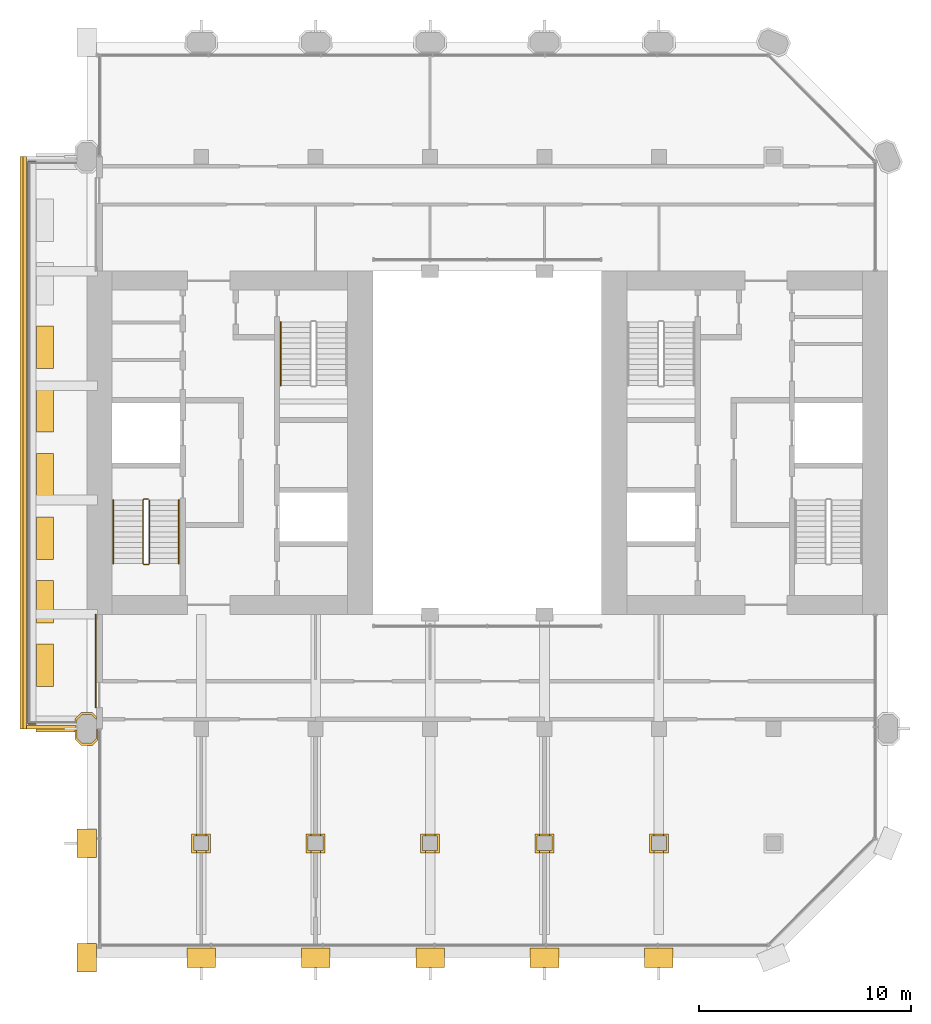
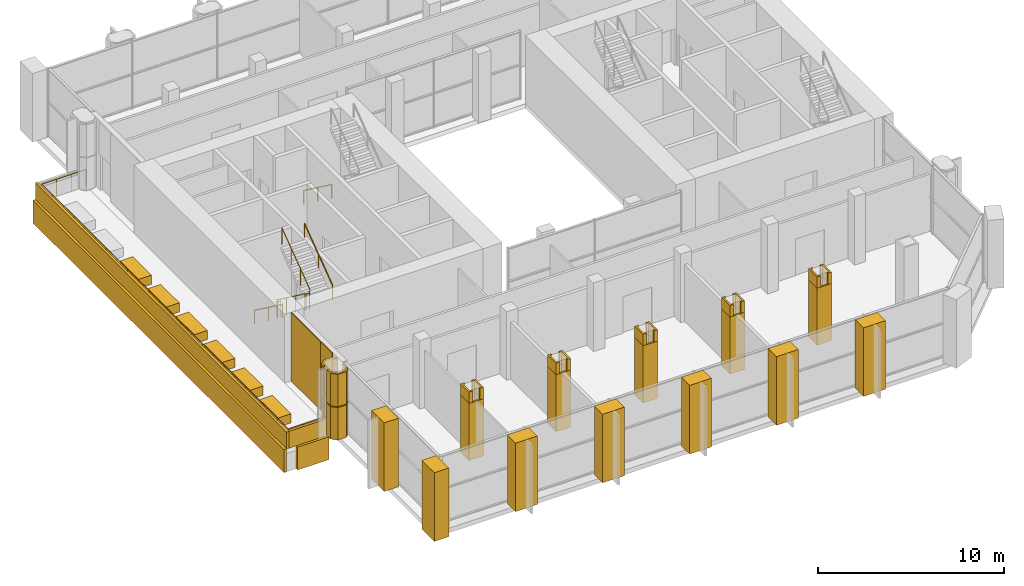
# One storey, part 12 of 14: 38 coverings, 5 railings.
"""IFC4 building model written with IfcOpenShell, lengths in metres."""

import ifcopenshell
import ifcopenshell.guid

model = None  # the IFC model being written
_history = None  # IfcOwnerHistory: only IFC2X3 demands one
_inside = {}  # id of a spatial element -> (the spatial element, [elements in it])
_under = {}  # id of a project, library or spatial element -> (it, [spatial elements below it])
_declared = {}  # id of a project -> (the project, [libraries it declares])
_typed = {}  # id of a type object -> (the type object, [elements of that type])
_made_of = {}  # id of a material, layer set ... -> (it, [elements and type objects made of it])


def new_model(schema):
    """Start an empty IFC model of exactly this schema.

    Asked for "IFC4X3", IfcOpenShell would pick the latest addendum, in which some entities
    have other attributes; the version numbers below select the first issue.
    IFC2X3 requires an IfcOwnerHistory on every rooted entity: one is made here for all.
    """
    global model, _history
    if schema == "IFC4X3":
        model = ifcopenshell.file(schema_version=(4, 3, 0, 0))
    else:
        model = ifcopenshell.file(schema=schema)
    _inside.clear()
    _under.clear()
    _declared.clear()
    _typed.clear()
    _made_of.clear()
    _history = None
    if model.schema == "IFC2X3":
        org = make("IfcOrganization", Name="unknown")
        user = make(
            "IfcPersonAndOrganization",
            ThePerson=make("IfcPerson", FamilyName="unknown"),
            TheOrganization=org,
        )
        app = make(
            "IfcApplication",
            ApplicationDeveloper=org,
            Version="unknown",
            ApplicationFullName="unknown",
            ApplicationIdentifier="unknown",
        )
        _history = make(
            "IfcOwnerHistory",
            OwningUser=user,
            OwningApplication=app,
            ChangeAction="ADDED",
            CreationDate=0,
        )
    return model


def make(cls, **values):
    """One entity of the class cls with the attributes given. An attribute that is None is left unset."""
    return model.create_entity(
        cls, **{name: value for name, value in values.items() if value is not None}
    )


def rooted(cls, **values):
    """An entity with a GlobalId (a new one), such as an element, a storey or a relation."""
    return make(cls, GlobalId=ifcopenshell.guid.new(), OwnerHistory=_history, **values)


def si_unit(unit_type, name, prefix=None):
    """IfcSIUnit, for example si_unit("LENGTHUNIT", "METRE", prefix="MILLI")."""
    return make("IfcSIUnit", UnitType=unit_type, Prefix=prefix, Name=name)


def assignment(units):
    """IfcUnitAssignment: the units of a project."""
    return None if units is None else make("IfcUnitAssignment", Units=units)


def point(xyz):
    """IfcCartesianPoint."""
    return None if xyz is None else make("IfcCartesianPoint", Coordinates=xyz)


def direction(xyz):
    """IfcDirection."""
    return None if xyz is None else make("IfcDirection", DirectionRatios=xyz)


def frame(location, z_axis=None, x_axis=None):
    """IfcAxis2Placement3D, a coordinate frame: its origin and axes. An axis left out is left unset."""
    return make(
        "IfcAxis2Placement3D",
        Location=point(location),
        Axis=direction(z_axis),
        RefDirection=direction(x_axis),
    )


def frame_2d(location, x_axis=None):
    """IfcAxis2Placement2D, a coordinate frame in the plane: its origin and x axis."""
    return make(
        "IfcAxis2Placement2D", Location=point(location), RefDirection=direction(x_axis)
    )


def origin():
    """The frame at (0, 0, 0) with its axes left unset."""
    return frame((0.0, 0.0, 0.0))


def origin_2d():
    """The frame at (0, 0) in the plane with its x axis left unset."""
    return frame_2d((0.0, 0.0))


def place(relative_to, where):
    """IfcLocalPlacement: puts the frame where relative to a parent placement (None: the world)."""
    return make(
        "IfcLocalPlacement", PlacementRelTo=relative_to, RelativePlacement=where
    )


def context(
    kind, dimensions, precision=None, world=None, true_north=None, identifier=None
):
    """IfcGeometricRepresentationContext, for example the 3D "Model" context."""
    return make(
        "IfcGeometricRepresentationContext",
        ContextIdentifier=identifier,
        ContextType=kind,
        CoordinateSpaceDimension=dimensions,
        Precision=precision,
        WorldCoordinateSystem=world,
        TrueNorth=true_north,
    )


def subcontext(parent, identifier, kind, view, scale=None):
    """IfcGeometricRepresentationSubContext, for example "Body" below "Model"."""
    return make(
        "IfcGeometricRepresentationSubContext",
        ContextIdentifier=identifier,
        ContextType=kind,
        ParentContext=parent,
        TargetScale=scale,
        TargetView=view,
    )


def project(units=None, contexts=None):
    """IfcProject with its units and contexts."""
    return rooted(
        "IfcProject",
        Name="project",
        RepresentationContexts=contexts,
        UnitsInContext=assignment(units),
    )


def spatial(cls, under=None, at=None, **own):
    """A site, building, storey or space (cls), placed at a placement, below another one or the project."""
    s = rooted(cls, ObjectPlacement=at, **own)
    if under is not None:
        _under.setdefault(under.id(), (under, []))[1].append(s)
    return s


def polyline(points):
    """IfcPolyline through the points."""
    return make("IfcPolyline", Points=[point(p) for p in points])


def profile(cls, at=None, kind="AREA", **sizes):
    """A parametric profile (cls). Its sizes go by their IFC names, for example OverallWidth=200.0."""
    return make(cls, ProfileType=kind, Position=at, **sizes)


def rectangle(**sizes):
    """IfcRectangleProfileDef."""
    return profile("IfcRectangleProfileDef", **sizes)


def circle(**sizes):
    """IfcCircleProfileDef."""
    return profile("IfcCircleProfileDef", **sizes)


def outline(outer, holes=None, kind="AREA"):
    """IfcArbitraryClosedProfileDef: a profile drawn as a closed curve; with holes, ...WithVoids."""
    if holes is None:
        return make("IfcArbitraryClosedProfileDef", ProfileType=kind, OuterCurve=outer)
    return make(
        "IfcArbitraryProfileDefWithVoids",
        ProfileType=kind,
        OuterCurve=outer,
        InnerCurves=holes,
    )


def extrude(swept, where, along, depth):
    """IfcExtrudedAreaSolid: the profile swept, set in the frame where, extruded along a direction by depth."""
    return make(
        "IfcExtrudedAreaSolid",
        SweptArea=swept,
        Position=where,
        ExtrudedDirection=direction(along),
        Depth=depth,
    )


def shape(context_of_items, identifier, shape_type, items):
    """IfcShapeRepresentation: the items that make up one representation, for example the "Body"."""
    return make(
        "IfcShapeRepresentation",
        ContextOfItems=context_of_items,
        RepresentationIdentifier=identifier,
        RepresentationType=shape_type,
        Items=items,
    )


def material(Name=None, Category=None):
    """IfcMaterial."""
    return make("IfcMaterial", Name=Name, Category=Category)


def layer(
    of_material, thickness, ventilated=None, Name=None, Category=None, Priority=None
):
    """IfcMaterialLayer: one layer of a wall or slab, of a material (None: an air gap)."""
    return make(
        "IfcMaterialLayer",
        Material=of_material,
        LayerThickness=thickness,
        IsVentilated=ventilated,
        Name=Name,
        Category=Category,
        Priority=Priority,
    )


def layer_set(layers, Name=None):
    """IfcMaterialLayerSet."""
    return make("IfcMaterialLayerSet", MaterialLayers=layers, LayerSetName=Name)


def made_of(thing, what):
    """Note that an element or type object is made of a material, layer set ...; save() writes the relation."""
    if what is not None:
        _made_of.setdefault(what.id(), (what, []))[1].append(thing)
    return thing


def type_object(cls, material=None, **own):
    """A type object (cls), such as IfcWallType, which elements share."""
    return made_of(rooted(cls, **own), material)


def element(
    cls,
    number,
    at=None,
    inside=None,
    cuts=None,
    type_object=None,
    material=None,
    context=None,
    identifier="Body",
    shape_type=None,
    held_by="IfcProductDefinitionShape",
    body=None,
    shapes=None,
    **own,
):
    """One element of the class cls, such as IfcWall. Its Tag is "e" and its number.

    at: its placement. inside: the storey or other place that contains it. cuts: it is an
    opening in that element (IfcRelVoidsElement). A single representation is given by context,
    identifier, shape_type and body (its items); several are given by shapes. held_by: the class
    of the entity that holds the representations. save() writes the other relations.
    """
    e = rooted(cls, Tag="e%d" % number, ObjectPlacement=at, **own)
    if body is not None:
        shapes = [shape(context, identifier, shape_type, body)]
    if shapes is not None:
        e.Representation = make(held_by, Representations=shapes)
    if inside is not None:
        _inside.setdefault(inside.id(), (inside, []))[1].append(e)
    if cuts is not None:
        rooted(
            "IfcRelVoidsElement", RelatingBuildingElement=cuts, RelatedOpeningElement=e
        )
    if type_object is not None:
        _typed.setdefault(type_object.id(), (type_object, []))[1].append(e)
    return made_of(e, material)


def aggregate(whole, parts):
    """IfcRelAggregates: a whole, such as a stair, and the parts it consists of."""
    return rooted("IfcRelAggregates", RelatingObject=whole, RelatedObjects=parts)


def save(model, path):
    """Write the relations noted so far, then the file.

    IfcRelAggregates (storeys below a building ...), IfcRelContainedInSpatialStructure (elements
    in a storey), IfcRelDefinesByType, IfcRelAssociatesMaterial and IfcRelDeclares: one each for
    every whole, place, type object, material and project.
    """
    for whole, parts in _under.values():
        aggregate(whole, parts)
    for where, things in _inside.values():
        rooted(
            "IfcRelContainedInSpatialStructure",
            RelatedElements=things,
            RelatingStructure=where,
        )
    for kind, things in _typed.values():
        rooted("IfcRelDefinesByType", RelatedObjects=things, RelatingType=kind)
    for what, things in _made_of.values():
        rooted("IfcRelAssociatesMaterial", RelatedObjects=things, RelatingMaterial=what)
    for by, libraries in _declared.values():
        rooted("IfcRelDeclares", RelatingContext=by, RelatedDefinitions=libraries)
    model.write(path)


model = new_model("IFC4")

# Units and contexts
model_context = context("Model", 3, precision=1e-05, world=origin(), true_north=direction((0.0, 1.0)))
body_context = subcontext(model_context, "Body", "Model", "MODEL_VIEW")
ifc_project = project(units=[si_unit("LENGTHUNIT", "METRE"), si_unit("AREAUNIT", "SQUARE_METRE"), si_unit("VOLUMEUNIT", "CUBIC_METRE"), si_unit("PLANEANGLEUNIT", "RADIAN"), si_unit("MASSUNIT", "GRAM", prefix="KILO")], contexts=[model_context])

# Site, building, storey
site_placement = place(None, origin())
site = spatial("IfcSite", under=ifc_project, at=site_placement, CompositionType="ELEMENT")
building_placement = place(site_placement, origin())
building = spatial("IfcBuilding", under=site, at=building_placement, Name="Tabaq Tower and Sports Hall", CompositionType="ELEMENT")
storey_placement = place(building_placement, frame((0.0, 0.0, 250.89990234375)))
storey = spatial("IfcBuildingStorey", under=building, at=storey_placement, Name="L61", CompositionType="ELEMENT", Elevation=250.89990234375)

# Coverings
ifc_material_1 = material(Name="Precast concrete C60/75", Category="concrete")
ifc_layer_1 = layer(ifc_material_1, 0.10009765625)
ifc_layer_set_1 = layer_set([ifc_layer_1], Name="Column cladding 100")
covering_type_1 = type_object("IfcCoveringType", Name="Column cladding 100", PredefinedType="CLADDING", material=ifc_layer_set_1)
covering_1_placement = place(storey_placement, frame((0.0, 0.0, 0.10009765625)))
element("IfcCovering", 1, at=covering_1_placement, inside=storey, type_object=covering_type_1, Name="Column cladding L61 PC-2C-S2", PredefinedType="CLADDING", context=body_context, shape_type="SweptSolid", body=[
    extrude(outline(polyline([(5.1337890625, 10.025390625), (4.850341796875, 10.30859375), (4.850341796875, 10.73974609375), (4.94970703125, 10.73974609375), (4.94970703125, 10.349853515625), (5.1748046875, 10.124755859375), (5.625244140625, 10.124755859375), (5.850341796875, 10.349853515625), (5.850341796875, 10.7998046875), (5.90966796875, 10.7998046875), (5.90966796875, 10.268798828125), (5.666259765625, 10.025390625), (5.1337890625, 10.025390625)])), origin(), (0.0, 0.0, 1.0), 2.1201171875),
])
covering_2_placement = place(storey_placement, frame((0.0, 0.0, 0.10009765625)))
element("IfcCovering", 2, at=covering_2_placement, inside=storey, type_object=covering_type_1, Name="Column cladding L61 PC-2C-S2 2", PredefinedType="CLADDING", context=body_context, shape_type="SweptSolid", body=[
    extrude(outline(polyline([(4.850341796875, 11.291259765625), (5.1337890625, 11.57470703125), (5.666259765625, 11.57470703125), (5.849609375, 11.391357421875), (5.849609375, 11.250732421875), (5.625244140625, 11.475341796875), (5.1748046875, 11.475341796875), (4.94970703125, 11.250244140625), (4.94970703125, 11.09033203125), (4.900390625, 11.09033203125), (4.900390625, 11.1103515625), (4.850341796875, 11.1103515625), (4.850341796875, 11.291259765625)])), origin(), (0.0, 0.0, 1.0), 2.1201171875),
])
covering_3_placement = place(storey_placement, frame((0.0, 0.0, 2.280029296875)))
element("IfcCovering", 3, at=covering_3_placement, inside=storey, type_object=covering_type_1, Name="Column cladding L61 PC-2C-S2 2", PredefinedType="CLADDING", context=body_context, shape_type="SweptSolid", body=[
    extrude(outline(polyline([(5.1337890625, 10.025390625), (4.850341796875, 10.30859375), (4.850341796875, 10.73974609375), (4.94970703125, 10.73974609375), (4.94970703125, 10.349853515625), (5.1748046875, 10.124755859375), (5.625244140625, 10.124755859375), (5.850341796875, 10.349853515625), (5.850341796875, 10.7998046875), (5.90966796875, 10.7998046875), (5.90966796875, 10.268798828125), (5.666259765625, 10.025390625), (5.1337890625, 10.025390625)])), origin(), (0.0, 0.0, 1.0), 2.1201171875),
])
covering_4_placement = place(storey_placement, frame((0.0, 0.0, 2.280029296875)))
element("IfcCovering", 4, at=covering_4_placement, inside=storey, type_object=covering_type_1, Name="Column cladding L61 PC-2C-S2 2 2", PredefinedType="CLADDING", context=body_context, shape_type="SweptSolid", body=[
    extrude(outline(polyline([(4.850341796875, 11.291259765625), (5.1337890625, 11.57470703125), (5.666259765625, 11.57470703125), (5.849609375, 11.391357421875), (5.849609375, 11.250732421875), (5.625244140625, 11.475341796875), (5.1748046875, 11.475341796875), (4.94970703125, 11.250244140625), (4.94970703125, 11.09033203125), (4.900390625, 11.09033203125), (4.900390625, 11.1103515625), (4.850341796875, 11.1103515625), (4.850341796875, 11.291259765625)])), origin(), (0.0, 0.0, 1.0), 2.1201171875),
])
covering_5_placement = place(storey_placement, origin())
element("IfcCovering", 5, at=covering_5_placement, inside=storey, type_object=covering_type_1, Name="Column cladding L61 CC-3B-S2", PredefinedType="CLADDING", context=body_context, shape_type="SweptSolid", body=[
    extrude(outline(polyline([(10.350341796875, 5.849609375), (11.249755859375, 5.849609375), (11.249755859375, 4.9501953125), (10.350341796875, 4.9501953125), (10.350341796875, 5.849609375)]), holes=[polyline([(11.150390625, 5.0498046875), (11.150390625, 5.750244140625), (10.44970703125, 5.750244140625), (10.44970703125, 5.0498046875), (11.150390625, 5.0498046875)])]), origin(), (0.0, 0.0, 1.0), 3.75),
])
covering_6_placement = place(storey_placement, frame((0.0, 0.0, 3.75)))
element("IfcCovering", 6, at=covering_6_placement, inside=storey, type_object=covering_type_1, Name="Column cladding L61 CC-3B-S2 head", PredefinedType="CLADDING", context=body_context, shape_type="SweptSolid", body=[
    extrude(outline(polyline([(10.574462890625, 5.04931640625), (10.574462890625, 4.95068359375), (10.3505859375, 4.95068359375), (10.3505859375, 5.849365234375), (10.574462890625, 5.849365234375), (10.574462890625, 5.75048828125), (10.449462890625, 5.75048828125), (10.449462890625, 5.04931640625), (10.574462890625, 5.04931640625)])), origin(), (0.0, 0.0, 1.0), 0.75),
])
covering_7_placement = place(storey_placement, frame((0.0, 0.0, 3.75)))
element("IfcCovering", 7, at=covering_7_placement, inside=storey, type_object=covering_type_1, Name="Column cladding L61 CC-3B-S2 head 2", PredefinedType="CLADDING", context=body_context, shape_type="SweptSolid", body=[
    extrude(outline(polyline([(11.025634765625, 5.04931640625), (11.150634765625, 5.04931640625), (11.150634765625, 5.75048828125), (11.025634765625, 5.75048828125), (11.025634765625, 5.849365234375), (11.24951171875, 5.849365234375), (11.24951171875, 4.95068359375), (11.025634765625, 4.95068359375), (11.025634765625, 5.04931640625)])), origin(), (0.0, 0.0, 1.0), 0.75),
])
covering_8_placement = place(storey_placement, origin())
element("IfcCovering", 8, at=covering_8_placement, inside=storey, type_object=covering_type_1, Name="Column cladding L61 CC-4B-S2", PredefinedType="CLADDING", context=body_context, shape_type="SweptSolid", body=[
    extrude(outline(polyline([(15.750244140625, 5.849609375), (16.649658203125, 5.849609375), (16.649658203125, 4.9501953125), (15.750244140625, 4.9501953125), (15.750244140625, 5.849609375)]), holes=[polyline([(16.55029296875, 5.0498046875), (16.55029296875, 5.750244140625), (15.849609375, 5.750244140625), (15.849609375, 5.0498046875), (16.55029296875, 5.0498046875)])]), origin(), (0.0, 0.0, 1.0), 3.75),
])
covering_9_placement = place(storey_placement, frame((0.0, 0.0, 3.75)))
element("IfcCovering", 9, at=covering_9_placement, inside=storey, type_object=covering_type_1, Name="Column cladding L61 CC-4B-S2 head", PredefinedType="CLADDING", context=body_context, shape_type="SweptSolid", body=[
    extrude(outline(polyline([(16.425537109375, 5.04931640625), (16.550537109375, 5.04931640625), (16.550537109375, 5.75048828125), (16.425537109375, 5.75048828125), (16.425537109375, 5.849365234375), (16.6494140625, 5.849365234375), (16.6494140625, 4.95068359375), (16.425537109375, 4.95068359375), (16.425537109375, 5.04931640625)])), origin(), (0.0, 0.0, 1.0), 0.75),
])
covering_10_placement = place(storey_placement, frame((0.0, 0.0, 3.75)))
element("IfcCovering", 10, at=covering_10_placement, inside=storey, type_object=covering_type_1, Name="Column cladding L61 CC-4B-S2 head 2", PredefinedType="CLADDING", context=body_context, shape_type="SweptSolid", body=[
    extrude(outline(polyline([(15.974365234375, 5.04931640625), (15.974365234375, 4.95068359375), (15.75048828125, 4.95068359375), (15.75048828125, 5.849365234375), (15.974365234375, 5.849365234375), (15.974365234375, 5.75048828125), (15.849365234375, 5.75048828125), (15.849365234375, 5.04931640625), (15.974365234375, 5.04931640625)])), origin(), (0.0, 0.0, 1.0), 0.75),
])
covering_11_placement = place(storey_placement, origin())
element("IfcCovering", 11, at=covering_11_placement, inside=storey, type_object=covering_type_1, Name="Column cladding L61 CC-5B-S2", PredefinedType="CLADDING", context=body_context, shape_type="SweptSolid", body=[
    extrude(outline(polyline([(21.150390625, 5.849609375), (22.0498046875, 5.849609375), (22.0498046875, 4.9501953125), (21.150390625, 4.9501953125), (21.150390625, 5.849609375)]), holes=[polyline([(21.9501953125, 5.0498046875), (21.9501953125, 5.750244140625), (21.249755859375, 5.750244140625), (21.249755859375, 5.0498046875), (21.9501953125, 5.0498046875)])]), origin(), (0.0, 0.0, 1.0), 3.75),
])
covering_12_placement = place(storey_placement, frame((0.0, 0.0, 3.75)))
element("IfcCovering", 12, at=covering_12_placement, inside=storey, type_object=covering_type_1, Name="Column cladding L61 CC-5B-S2 head", PredefinedType="CLADDING", context=body_context, shape_type="SweptSolid", body=[
    extrude(outline(polyline([(21.37451171875, 5.04931640625), (21.37451171875, 4.95068359375), (21.150634765625, 4.95068359375), (21.150634765625, 5.849365234375), (21.37451171875, 5.849365234375), (21.37451171875, 5.75048828125), (21.24951171875, 5.75048828125), (21.24951171875, 5.04931640625), (21.37451171875, 5.04931640625)])), origin(), (0.0, 0.0, 1.0), 0.75),
])
covering_13_placement = place(storey_placement, frame((0.0, 0.0, 3.75)))
element("IfcCovering", 13, at=covering_13_placement, inside=storey, type_object=covering_type_1, Name="Column cladding L61 CC-5B-S2 head 2", PredefinedType="CLADDING", context=body_context, shape_type="SweptSolid", body=[
    extrude(outline(polyline([(21.82568359375, 5.04931640625), (21.95068359375, 5.04931640625), (21.95068359375, 5.75048828125), (21.82568359375, 5.75048828125), (21.82568359375, 5.849365234375), (22.04931640625, 5.849365234375), (22.04931640625, 4.95068359375), (21.82568359375, 4.95068359375), (21.82568359375, 5.04931640625)])), origin(), (0.0, 0.0, 1.0), 0.75),
])
covering_14_placement = place(storey_placement, origin())
element("IfcCovering", 14, at=covering_14_placement, inside=storey, type_object=covering_type_1, Name="Column cladding L61 CC-6B-S2", PredefinedType="CLADDING", context=body_context, shape_type="SweptSolid", body=[
    extrude(outline(polyline([(26.55029296875, 5.849609375), (27.44970703125, 5.849609375), (27.44970703125, 4.9501953125), (26.55029296875, 4.9501953125), (26.55029296875, 5.849609375)]), holes=[polyline([(27.350341796875, 5.0498046875), (27.350341796875, 5.750244140625), (26.649658203125, 5.750244140625), (26.649658203125, 5.0498046875), (27.350341796875, 5.0498046875)])]), origin(), (0.0, 0.0, 1.0), 3.75),
])
covering_15_placement = place(storey_placement, frame((0.0, 0.0, 3.75)))
element("IfcCovering", 15, at=covering_15_placement, inside=storey, type_object=covering_type_1, Name="Column cladding L61 CC-6B-S2 head", PredefinedType="CLADDING", context=body_context, shape_type="SweptSolid", body=[
    extrude(outline(polyline([(26.7744140625, 5.04931640625), (26.7744140625, 4.95068359375), (26.550537109375, 4.95068359375), (26.550537109375, 5.849365234375), (26.7744140625, 5.849365234375), (26.7744140625, 5.75048828125), (26.6494140625, 5.75048828125), (26.6494140625, 5.04931640625), (26.7744140625, 5.04931640625)])), origin(), (0.0, 0.0, 1.0), 0.75),
])
covering_16_placement = place(storey_placement, frame((0.0, 0.0, 3.75)))
element("IfcCovering", 16, at=covering_16_placement, inside=storey, type_object=covering_type_1, Name="Column cladding L61 CC-6B-S2 head 2", PredefinedType="CLADDING", context=body_context, shape_type="SweptSolid", body=[
    extrude(outline(polyline([(27.2255859375, 5.04931640625), (27.3505859375, 5.04931640625), (27.3505859375, 5.75048828125), (27.2255859375, 5.75048828125), (27.2255859375, 5.849365234375), (27.449462890625, 5.849365234375), (27.449462890625, 4.95068359375), (27.2255859375, 4.95068359375), (27.2255859375, 5.04931640625)])), origin(), (0.0, 0.0, 1.0), 0.75),
])
covering_17_placement = place(storey_placement, origin())
element("IfcCovering", 17, at=covering_17_placement, inside=storey, type_object=covering_type_1, Name="Column cladding L61 CC-7B-S2", PredefinedType="CLADDING", context=body_context, shape_type="SweptSolid", body=[
    extrude(outline(polyline([(31.9501953125, 5.849609375), (32.849609375, 5.849609375), (32.849609375, 4.9501953125), (31.9501953125, 4.9501953125), (31.9501953125, 5.849609375)]), holes=[polyline([(32.750244140625, 5.0498046875), (32.750244140625, 5.750244140625), (32.0498046875, 5.750244140625), (32.0498046875, 5.0498046875), (32.750244140625, 5.0498046875)])]), origin(), (0.0, 0.0, 1.0), 3.75),
])
covering_18_placement = place(storey_placement, frame((0.0, 0.0, 3.75)))
element("IfcCovering", 18, at=covering_18_placement, inside=storey, type_object=covering_type_1, Name="Column cladding L61 CC-7B-S2 head", PredefinedType="CLADDING", context=body_context, shape_type="SweptSolid", body=[
    extrude(outline(polyline([(32.62548828125, 5.04931640625), (32.75048828125, 5.04931640625), (32.75048828125, 5.75048828125), (32.62548828125, 5.75048828125), (32.62548828125, 5.849365234375), (32.849365234375, 5.849365234375), (32.849365234375, 4.95068359375), (32.62548828125, 4.95068359375), (32.62548828125, 5.04931640625)])), origin(), (0.0, 0.0, 1.0), 0.75),
])
covering_19_placement = place(storey_placement, frame((0.0, 0.0, 3.75)))
element("IfcCovering", 19, at=covering_19_placement, inside=storey, type_object=covering_type_1, Name="Column cladding L61 CC-7B-S2 head 2", PredefinedType="CLADDING", context=body_context, shape_type="SweptSolid", body=[
    extrude(outline(polyline([(32.17431640625, 5.04931640625), (32.17431640625, 4.95068359375), (31.95068359375, 4.95068359375), (31.95068359375, 5.849365234375), (32.17431640625, 5.849365234375), (32.17431640625, 5.75048828125), (32.04931640625, 5.75048828125), (32.04931640625, 5.04931640625), (32.17431640625, 5.04931640625)])), origin(), (0.0, 0.0, 1.0), 0.75),
])

# Railing
ifc_material_2 = material(Name="Stainless steel S316 and laminated glass", Category="steel")
railing_type_1 = type_object("IfcRailingType", Name="Guard 1100 steel and glass", PredefinedType="GUARDRAIL", material=ifc_material_2)
railing_1_placement = place(storey_placement, frame((5.39990234375, 37.550048828125, 0.0)))
element("IfcRailing", 20, at=railing_1_placement, inside=storey, type_object=railing_type_1, Name="Tray guard L61", PredefinedType="GUARDRAIL", context=body_context, shape_type="SweptSolid", body=[
    extrude(circle(Radius=0.02490234375, at=origin_2d()), frame((0.0, 0.0, 1.0751953125), z_axis=(-1.0, 0.0, 0.0), x_axis=(0.0, -1.0, 0.0)), (0.0, 0.0, 1.0), 2.75),
    extrude(circle(Radius=0.02490234375, at=origin_2d()), frame((-2.75, 0.0, 1.0751953125), z_axis=(0.0, -1.0, 0.0), x_axis=(1.0, 0.0, 0.0)), (0.0, 0.0, 1.0), 26.5),
    extrude(circle(Radius=0.02490234375, at=origin_2d()), frame((-2.75, -26.5, 1.0751953125), z_axis=(1.0, 0.0, 0.0), x_axis=(0.0, 1.0, 0.0)), (0.0, 0.0, 1.0), 2.75),
    extrude(circle(Radius=0.02001953125, at=origin_2d()), origin(), (0.0, 0.0, 1.0), 1.050048828125),
    extrude(circle(Radius=0.02001953125, at=origin_2d()), frame((-0.916748046875, 0.0, 0.0)), (0.0, 0.0, 1.0), 1.050048828125),
    extrude(circle(Radius=0.02001953125, at=origin_2d()), frame((-1.833251953125, 0.0, 0.0)), (0.0, 0.0, 1.0), 1.050048828125),
    extrude(circle(Radius=0.02001953125, at=origin_2d()), frame((-2.75, 0.0, 0.0)), (0.0, 0.0, 1.0), 1.050048828125),
    extrude(circle(Radius=0.02001953125, at=origin_2d()), frame((-2.75, -1.152099609375, 0.0)), (0.0, 0.0, 1.0), 1.050048828125),
    extrude(circle(Radius=0.02001953125, at=origin_2d()), frame((-2.75, -2.304443359375, 0.0)), (0.0, 0.0, 1.0), 1.050048828125),
    extrude(circle(Radius=0.02001953125, at=origin_2d()), frame((-2.75, -3.45654296875, 0.0)), (0.0, 0.0, 1.0), 1.050048828125),
    extrude(circle(Radius=0.02001953125, at=origin_2d()), frame((-2.75, -4.608642578125, 0.0)), (0.0, 0.0, 1.0), 1.050048828125),
    extrude(circle(Radius=0.02001953125, at=origin_2d()), frame((-2.75, -5.760986328125, 0.0)), (0.0, 0.0, 1.0), 1.050048828125),
    extrude(circle(Radius=0.02001953125, at=origin_2d()), frame((-2.75, -6.9130859375, 0.0)), (0.0, 0.0, 1.0), 1.050048828125),
    extrude(circle(Radius=0.02001953125, at=origin_2d()), frame((-2.75, -8.065185546875, 0.0)), (0.0, 0.0, 1.0), 1.050048828125),
    extrude(circle(Radius=0.02001953125, at=origin_2d()), frame((-2.75, -9.21728515625, 0.0)), (0.0, 0.0, 1.0), 1.050048828125),
    extrude(circle(Radius=0.02001953125, at=origin_2d()), frame((-2.75, -10.36962890625, 0.0)), (0.0, 0.0, 1.0), 1.050048828125),
    extrude(circle(Radius=0.02001953125, at=origin_2d()), frame((-2.75, -11.521728515625, 0.0)), (0.0, 0.0, 1.0), 1.050048828125),
    extrude(circle(Radius=0.02001953125, at=origin_2d()), frame((-2.75, -12.673828125, 0.0)), (0.0, 0.0, 1.0), 1.050048828125),
    extrude(circle(Radius=0.02001953125, at=origin_2d()), frame((-2.75, -13.826171875, 0.0)), (0.0, 0.0, 1.0), 1.050048828125),
    extrude(circle(Radius=0.02001953125, at=origin_2d()), frame((-2.75, -14.978271484375, 0.0)), (0.0, 0.0, 1.0), 1.050048828125),
    extrude(circle(Radius=0.02001953125, at=origin_2d()), frame((-2.75, -16.13037109375, 0.0)), (0.0, 0.0, 1.0), 1.050048828125),
    extrude(circle(Radius=0.02001953125, at=origin_2d()), frame((-2.75, -17.28271484375, 0.0)), (0.0, 0.0, 1.0), 1.050048828125),
    extrude(circle(Radius=0.02001953125, at=origin_2d()), frame((-2.75, -18.434814453125, 0.0)), (0.0, 0.0, 1.0), 1.050048828125),
    extrude(circle(Radius=0.02001953125, at=origin_2d()), frame((-2.75, -19.5869140625, 0.0)), (0.0, 0.0, 1.0), 1.050048828125),
    extrude(circle(Radius=0.02001953125, at=origin_2d()), frame((-2.75, -20.739013671875, 0.0)), (0.0, 0.0, 1.0), 1.050048828125),
    extrude(circle(Radius=0.02001953125, at=origin_2d()), frame((-2.75, -21.891357421875, 0.0)), (0.0, 0.0, 1.0), 1.050048828125),
    extrude(circle(Radius=0.02001953125, at=origin_2d()), frame((-2.75, -23.04345703125, 0.0)), (0.0, 0.0, 1.0), 1.050048828125),
    extrude(circle(Radius=0.02001953125, at=origin_2d()), frame((-2.75, -24.195556640625, 0.0)), (0.0, 0.0, 1.0), 1.050048828125),
    extrude(circle(Radius=0.02001953125, at=origin_2d()), frame((-2.75, -25.347900390625, 0.0)), (0.0, 0.0, 1.0), 1.050048828125),
    extrude(circle(Radius=0.02001953125, at=origin_2d()), frame((-2.75, -26.5, 0.0)), (0.0, 0.0, 1.0), 1.050048828125),
    extrude(circle(Radius=0.02001953125, at=origin_2d()), frame((-1.833251953125, -26.5, 0.0)), (0.0, 0.0, 1.0), 1.050048828125),
    extrude(circle(Radius=0.02001953125, at=origin_2d()), frame((-0.916748046875, -26.5, 0.0)), (0.0, 0.0, 1.0), 1.050048828125),
    extrude(circle(Radius=0.02001953125, at=origin_2d()), frame((0.0, -26.5, 0.0)), (0.0, 0.0, 1.0), 1.050048828125),
])

# Coverings
ifc_material_3 = material(Name="White precast concrete C60/75", Category="concrete")
covering_type_2 = type_object("IfcCoveringType", Name="Pier cladding hung 1350x900", PredefinedType="CLADDING", material=ifc_material_3)
covering_20_placement = place(storey_placement, frame((5.39990234375, 0.675048828125, 0.0), z_axis=(0.0, 0.0, 1.0), x_axis=(0.0, -1.0, 0.0)))
element("IfcCovering", 21, at=covering_20_placement, inside=storey, type_object=covering_type_2, Name="Hung pier cladding 1/0", PredefinedType="CLADDING", context=body_context, shape_type="SweptSolid", body=[
    extrude(rectangle(XDim=1.35009765625, YDim=0.89990234375, at=frame_2d((0.675048828125, 0.0))), origin(), (0.0, 0.0, 1.0), 4.5),
])
covering_21_placement = place(storey_placement, frame((5.39990234375, 6.074951171875, 0.0), z_axis=(0.0, 0.0, 1.0), x_axis=(0.0, -1.0, 0.0)))
element("IfcCovering", 22, at=covering_21_placement, inside=storey, type_object=covering_type_2, Name="Hung pier cladding 1/1", PredefinedType="CLADDING", context=body_context, shape_type="SweptSolid", body=[
    extrude(rectangle(XDim=1.349853515625, YDim=0.89990234375, at=frame_2d((0.6748046875, 0.0))), origin(), (0.0, 0.0, 1.0), 4.5),
])
for number, where, z_axis, x_axis, name in (
    (23, (10.125, 0.0, 0.0), (0.0, 0.0, 1.0), (1.0, 0.0, 0.0), "Hung pier cladding 2/0"),
    (24, (15.52490234375, 0.0, 0.0), (0.0, 0.0, 1.0), (1.0, 0.0, 0.0), "Hung pier cladding 3/0"),
):
    element("IfcCovering", number, at=place(storey_placement, frame(where, z_axis=z_axis, x_axis=x_axis)), inside=storey, type_object=covering_type_2, Name=name, PredefinedType="CLADDING", context=body_context, shape_type="SweptSolid", body=[
        extrude(rectangle(XDim=1.35009765625, YDim=0.89990234375, at=frame_2d((0.675048828125, 0.0))), origin(), (0.0, 0.0, 1.0), 4.5),
    ])
covering_22_placement = place(storey_placement, frame((20.925048828125, 0.0, 0.0), z_axis=(0.0, 0.0, 1.0), x_axis=(1.0, 0.0, 0.0)))
element("IfcCovering", 25, at=covering_22_placement, inside=storey, type_object=covering_type_2, Name="Hung pier cladding 4/0", PredefinedType="CLADDING", context=body_context, shape_type="SweptSolid", body=[
    extrude(rectangle(XDim=1.349853515625, YDim=0.89990234375, at=frame_2d((0.6748046875, 0.0))), origin(), (0.0, 0.0, 1.0), 4.5),
])
covering_23_placement = place(storey_placement, frame((26.324951171875, 0.0, 0.0), z_axis=(0.0, 0.0, 1.0), x_axis=(1.0, 0.0, 0.0)))
element("IfcCovering", 26, at=covering_23_placement, inside=storey, type_object=covering_type_2, Name="Hung pier cladding 5/0", PredefinedType="CLADDING", context=body_context, shape_type="SweptSolid", body=[
    extrude(rectangle(XDim=1.35009765625, YDim=0.89990234375, at=frame_2d((0.675048828125, 0.0))), origin(), (0.0, 0.0, 1.0), 4.5),
])
covering_24_placement = place(storey_placement, frame((31.72509765625, 0.0, 0.0), z_axis=(0.0, 0.0, 1.0), x_axis=(1.0, 0.0, 0.0)))
element("IfcCovering", 27, at=covering_24_placement, inside=storey, type_object=covering_type_2, Name="Hung pier cladding 6/0", PredefinedType="CLADDING", context=body_context, shape_type="SweptSolid", body=[
    extrude(rectangle(XDim=1.349853515625, YDim=0.89990234375, at=frame_2d((0.6748046875, 0.0))), origin(), (0.0, 0.0, 1.0), 4.5),
])
ifc_material_4 = material(Name="Planting soil and drainage layer")
covering_type_3 = type_object("IfcCoveringType", Name="Planter 2000x800x600", PredefinedType="USERDEFINED", material=ifc_material_4)
for number, where, z_axis, x_axis, name in (
    (28, (3.429931640625, 28.800048828125, 0.0), (0.0, 0.0, 1.0), (0.0, -1.0, 0.0), "Planter L61"),
    (29, (3.429931640625, 25.800048828125, 0.0), (0.0, 0.0, 1.0), (0.0, -1.0, 0.0), "Planter L61"),
    (30, (3.429931640625, 22.800048828125, 0.0), (0.0, 0.0, 1.0), (0.0, -1.0, 0.0), "Planter L61"),
    (31, (3.429931640625, 19.800048828125, 0.0), (0.0, 0.0, 1.0), (0.0, -1.0, 0.0), "Planter L61"),
    (32, (3.429931640625, 16.800048828125, 0.0), (0.0, 0.0, 1.0), (0.0, -1.0, 0.0), "Planter L61"),
    (33, (3.429931640625, 13.800048828125, 0.0), (0.0, 0.0, 1.0), (0.0, -1.0, 0.0), "Planter L61"),
):
    element("IfcCovering", number, at=place(storey_placement, frame(where, z_axis=z_axis, x_axis=x_axis)), inside=storey, type_object=covering_type_3, Name=name, ObjectType="PLANTER", PredefinedType="USERDEFINED", context=body_context, shape_type="SweptSolid", body=[
        extrude(rectangle(XDim=2.0, YDim=0.800048828125, at=origin_2d()), origin(), (0.0, 0.0, 1.0), 0.60009765625),
    ])

# Railings
ifc_material_5 = material(Name="Stainless steel", Category="steel")
railing_type_2 = type_object("IfcRailingType", Name="Stair guard", PredefinedType="GUARDRAIL", material=ifc_material_5)
railing_2_placement = place(storey_placement, frame((8.300048828125, 21.64990234375, 0.0)))
element("IfcRailing", 34, at=railing_2_placement, inside=storey, type_object=railing_type_2, Name="L61 ST1 stair guard 1", PredefinedType="GUARDRAIL", context=body_context, shape_type="SweptSolid", body=[
    extrude(circle(Radius=0.02392578125, at=origin_2d()), frame((0.0, 0.0, 1.076171875), z_axis=(-1.0, 0.0, 0.0), x_axis=(0.0, -1.0, 0.0)), (0.0, 0.0, 1.0), 0.199951171875),
    extrude(circle(Radius=0.02392578125, at=origin_2d()), frame((-0.199951171875, 0.0, 1.076171875), z_axis=(-0.252972702061, -0.251738688881, 0.934147977856), x_axis=(0.705375805398, -0.708833529934, 0.0)), (0.0, 0.0, 1.0), 0.19775390625),
    extrude(circle(Radius=0.02392578125, at=origin_2d()), frame((-0.25, -0.0498046875, 1.2607421875), z_axis=(0.0, -0.804440004972, 0.594033903411), x_axis=(1.0, 0.0, 0.0)), (0.0, 0.0, 1.0), 3.729248046875),
    extrude(circle(Radius=0.02392578125, at=origin_2d()), frame((-0.25, -3.0498046875, 3.47607421875), z_axis=(0.707106781187, -0.707106781187, 0.0), x_axis=(0.707106781187, 0.707106781187, 0.0)), (0.0, 0.0, 1.0), 0.07080078125),
    extrude(circle(Radius=0.02392578125, at=origin_2d()), frame((-0.199951171875, -3.099853515625, 3.47607421875), z_axis=(1.0, 0.0, 0.0), x_axis=(0.0, 1.0, 0.0)), (0.0, 0.0, 1.0), 0.199951171875),
    extrude(circle(Radius=0.02392578125, at=origin_2d()), frame((0.0, -3.099853515625, 3.47607421875), z_axis=(0.253185614162, 0.253185614162, 0.933699142959), x_axis=(-0.707106781187, 0.707106781187, 0.0)), (0.0, 0.0, 1.0), 0.19775390625),
    extrude(circle(Radius=0.02392578125, at=origin_2d()), frame((0.050048828125, -3.0498046875, 3.66064453125), z_axis=(0.0, 0.804440004972, 0.594033903411), x_axis=(-1.0, 0.0, 0.0)), (0.0, 0.0, 1.0), 3.729248046875),
    extrude(circle(Radius=0.02099609375, at=origin_2d()), origin(), (0.0, 0.0, 1.0), 1.052001953125),
    extrude(circle(Radius=0.02099609375, at=origin_2d()), frame((-0.199951171875, 0.0, 0.0)), (0.0, 0.0, 1.0), 1.052001953125),
    extrude(circle(Radius=0.02099609375, at=origin_2d()), frame((-0.25, -0.0498046875, 0.184814453125)), (0.0, 0.0, 1.0), 1.052001953125),
    extrude(circle(Radius=0.02099609375, at=origin_2d()), frame((-0.25, -1.0498046875, 0.92333984375)), (0.0, 0.0, 1.0), 1.052001953125),
    extrude(circle(Radius=0.02099609375, at=origin_2d()), frame((-0.25, -2.0498046875, 1.66162109375)), (0.0, 0.0, 1.0), 1.052001953125),
    extrude(circle(Radius=0.02099609375, at=origin_2d()), frame((-0.25, -3.0498046875, 2.400146484375)), (0.0, 0.0, 1.0), 1.052001953125),
    extrude(circle(Radius=0.02099609375, at=origin_2d()), frame((-0.199951171875, -3.099853515625, 2.400146484375)), (0.0, 0.0, 1.0), 1.052001953125),
    extrude(circle(Radius=0.02099609375, at=origin_2d()), frame((0.0, -3.099853515625, 2.400146484375)), (0.0, 0.0, 1.0), 1.052001953125),
    extrude(circle(Radius=0.02099609375, at=origin_2d()), frame((0.050048828125, -3.0498046875, 2.584716796875)), (0.0, 0.0, 1.0), 1.052001953125),
    extrude(circle(Radius=0.02099609375, at=origin_2d()), frame((0.050048828125, -2.0498046875, 3.3232421875)), (0.0, 0.0, 1.0), 1.052001953125),
    extrude(circle(Radius=0.02099609375, at=origin_2d()), frame((0.050048828125, -1.0498046875, 4.0615234375)), (0.0, 0.0, 1.0), 1.052001953125),
    extrude(circle(Radius=0.02099609375, at=origin_2d()), frame((0.050048828125, -0.0498046875, 4.800048828125)), (0.0, 0.0, 1.0), 1.052001953125),
])
ifc_material_6 = material(Name="Stainless steel", Category="steel")
railing_type_3 = type_object("IfcRailingType", Name="Stair handrail", PredefinedType="HANDRAIL", material=ifc_material_6)
railing_3_placement = place(storey_placement, frame((6.64990234375, 21.60009765625, 0.184814453125)))
element("IfcRailing", 35, at=railing_3_placement, inside=storey, type_object=railing_type_3, Name="L61 ST1 stair handrail 1", PredefinedType="HANDRAIL", context=body_context, shape_type="SweptSolid", body=[
    extrude(circle(Radius=0.02392578125, at=origin_2d()), frame((0.0, 0.0, 0.8759765625), z_axis=(0.0, -0.804440004972, 0.594033903411), x_axis=(1.0, 0.0, 0.0)), (0.0, 0.0, 1.0), 3.729248046875),
    extrude(circle(Radius=0.02099609375, at=origin_2d()), origin(), (0.0, 0.0, 1.0), 0.851806640625),
    extrude(circle(Radius=0.02099609375, at=origin_2d()), frame((0.0, -1.5, 1.107666015625)), (0.0, 0.0, 1.0), 0.851806640625),
    extrude(circle(Radius=0.02099609375, at=origin_2d()), frame((0.0, -3.0, 2.21533203125)), (0.0, 0.0, 1.0), 0.851806640625),
])
railing_4_placement = place(storey_placement, frame((9.75, 18.60009765625, 2.584716796875)))
element("IfcRailing", 36, at=railing_4_placement, inside=storey, type_object=railing_type_3, Name="L61 ST1 stair handrail 2", PredefinedType="HANDRAIL", context=body_context, shape_type="SweptSolid", body=[
    extrude(circle(Radius=0.02392578125, at=origin_2d()), frame((0.0, 0.0, 0.8759765625), z_axis=(0.0, 0.804440004972, 0.594033903411), x_axis=(-1.0, 0.0, 0.0)), (0.0, 0.0, 1.0), 3.729248046875),
    extrude(circle(Radius=0.02099609375, at=origin_2d()), origin(), (0.0, 0.0, 1.0), 0.851806640625),
    extrude(circle(Radius=0.02099609375, at=origin_2d()), frame((0.0, 1.5, 1.107666015625)), (0.0, 0.0, 1.0), 0.851806640625),
    extrude(circle(Radius=0.02099609375, at=origin_2d()), frame((0.0, 3.0, 2.21533203125)), (0.0, 0.0, 1.0), 0.851806640625),
])
railing_5_placement = place(storey_placement, frame((14.550048828125, 30.0, 0.184814453125)))
element("IfcRailing", 37, at=railing_5_placement, inside=storey, type_object=railing_type_3, Name="L61 ST2 stair handrail 1", PredefinedType="HANDRAIL", context=body_context, shape_type="SweptSolid", body=[
    extrude(circle(Radius=0.02392578125, at=origin_2d()), frame((0.0, 0.0, 0.8759765625), z_axis=(0.0, -0.804440004972, 0.594033903411), x_axis=(1.0, 0.0, 0.0)), (0.0, 0.0, 1.0), 3.729248046875),
    extrude(circle(Radius=0.02099609375, at=origin_2d()), origin(), (0.0, 0.0, 1.0), 0.851806640625),
    extrude(circle(Radius=0.02099609375, at=origin_2d()), frame((0.0, -1.5, 1.107666015625)), (0.0, 0.0, 1.0), 0.851806640625),
    extrude(circle(Radius=0.02099609375, at=origin_2d()), frame((0.0, -3.0, 2.21533203125)), (0.0, 0.0, 1.0), 0.851806640625),
])

# Coverings
ifc_material_7 = material(Name="Precast concrete C60/75", Category="concrete")
ifc_layer_2 = layer(ifc_material_7, 0.14990234375)
ifc_layer_set_2 = layer_set([ifc_layer_2], Name="Tray fascia 1200")
covering_type_4 = type_object("IfcCoveringType", Name="Tray fascia 1200", PredefinedType="CLADDING", material=ifc_layer_set_2)
covering_25_placement = place(storey_placement, frame((4.949951171875, 10.72509765625, -1.5), z_axis=(0.0, 0.0, 1.0), x_axis=(-1.0, 0.0, 0.0)))
element("IfcCovering", 38, at=covering_25_placement, inside=storey, type_object=covering_type_4, Name="Tray fascia L61 EBT", PredefinedType="CLADDING", context=body_context, shape_type="SweptSolid", body=[
    extrude(rectangle(XDim=1.949951171875, YDim=0.14990234375, at=frame_2d((0.97509765625, 0.0))), origin(), (0.0, 0.0, 1.0), 1.5),
])
covering_26_placement = place(storey_placement, frame((2.324951171875, 37.800048828125, -1.5), z_axis=(0.0, 0.0, 1.0), x_axis=(0.0, -1.0, 0.0)))
element("IfcCovering", 39, at=covering_26_placement, inside=storey, type_object=covering_type_4, Name="Tray fascia L61 EBT", PredefinedType="CLADDING", context=body_context, shape_type="SweptSolid", body=[
    extrude(rectangle(XDim=27.0, YDim=0.14990234375, at=frame_2d((13.5, 0.0))), origin(), (0.0, 0.0, 1.0), 1.5),
])
ifc_material_8 = material(Name="Precast concrete C60/75", Category="concrete")
ifc_layer_3 = layer(ifc_material_8, 0.14990234375)
ifc_layer_set_3 = layer_set([ifc_layer_3], Name="Tray upstand cladding 1100")
covering_type_5 = type_object("IfcCoveringType", Name="Tray upstand cladding 1100", PredefinedType="CLADDING", material=ifc_layer_set_3)
covering_27_placement = place(storey_placement, frame((2.47509765625, 37.800048828125, 0.0), z_axis=(0.0, 0.0, 1.0), x_axis=(0.0, -1.0, 0.0)))
element("IfcCovering", 40, at=covering_27_placement, inside=storey, type_object=covering_type_5, Name="Tray upstand cladding L61", PredefinedType="CLADDING", context=body_context, shape_type="SweptSolid", body=[
    extrude(rectangle(XDim=27.0, YDim=0.14990234375, at=frame_2d((13.5, 0.0))), origin(), (0.0, 0.0, 1.0), 1.10009765625),
])
covering_28_placement = place(storey_placement, frame((4.89990234375, 10.875, 0.0), z_axis=(0.0, 0.0, 1.0), x_axis=(-1.0, 0.0, 0.0)))
element("IfcCovering", 41, at=covering_28_placement, inside=storey, type_object=covering_type_5, Name="Tray upstand cladding L61", PredefinedType="CLADDING", context=body_context, shape_type="SweptSolid", body=[
    extrude(rectangle(XDim=2.349853515625, YDim=0.14990234375, at=frame_2d((1.1748046875, 0.0))), origin(), (0.0, 0.0, 1.0), 1.10009765625),
])
ifc_material_9 = material(Name="Precast concrete C60/75", Category="concrete")
ifc_layer_4 = layer(ifc_material_9, 0.06005859375)
ifc_layer_set_4 = layer_set([ifc_layer_4], Name="White precast cladding panel 60 C60/75")
covering_type_6 = type_object("IfcCoveringType", Name="White precast cladding panel 60 C60/75", PredefinedType="CLADDING", material=ifc_layer_set_4)
covering_29_placement = place(storey_placement, frame((5.820068359375, 16.199951171875, 0.0), z_axis=(0.0, 0.0, 1.0), x_axis=(0.0, -1.0, 0.0)))
element("IfcCovering", 42, at=covering_29_placement, inside=storey, type_object=covering_type_6, Name="White precast cladding panel L61 infill05-1-0", PredefinedType="CLADDING", context=body_context, shape_type="SweptSolid", body=[
    extrude(rectangle(XDim=3.18994140625, YDim=0.06005859375, at=frame_2d((1.594970703125, 0.0))), origin(), (0.0, 0.0, 1.0), 4.5),
])
covering_30_placement = place(storey_placement, frame((5.820068359375, 13.010009765625, 2.41015625), z_axis=(0.0, 0.0, 1.0), x_axis=(0.0, -1.0, 0.0)))
element("IfcCovering", 43, at=covering_30_placement, inside=storey, type_object=covering_type_6, Name="White precast cladding panel L61 infill05-1-0 2", PredefinedType="CLADDING", context=body_context, shape_type="SweptSolid", body=[
    extrude(rectangle(XDim=1.219970703125, YDim=0.06005859375, at=frame_2d((0.60986328125, 0.0))), origin(), (0.0, 0.0, 1.0), 2.08984375),
])

save(model, "model.ifc")
